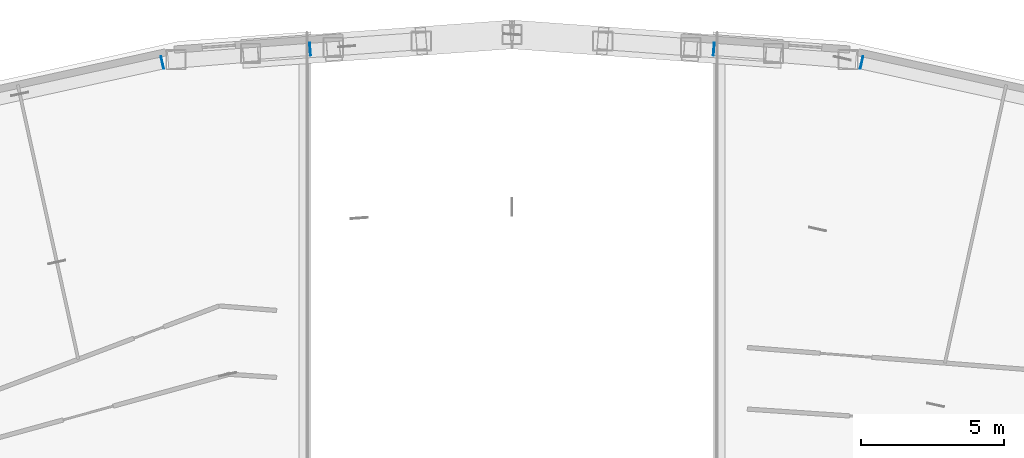
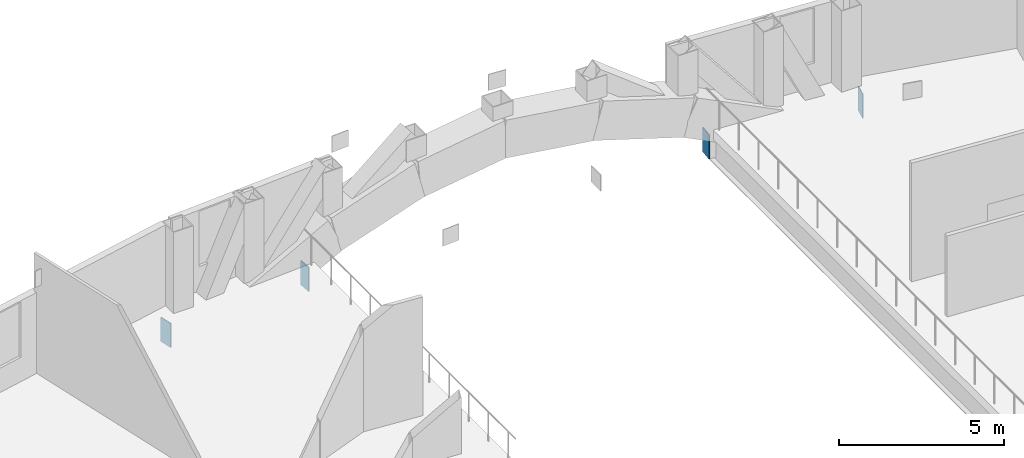
# One storey, part 14 of 24: 4 discrete accessories.
"""IFC4 building model written with IfcOpenShell, lengths in metres."""

import ifcopenshell
import ifcopenshell.guid

model = None  # the IFC model being written
_history = None  # IfcOwnerHistory: only IFC2X3 demands one
_inside = {}  # id of a spatial element -> (the spatial element, [elements in it])
_under = {}  # id of a project, library or spatial element -> (it, [spatial elements below it])
_declared = {}  # id of a project -> (the project, [libraries it declares])
_typed = {}  # id of a type object -> (the type object, [elements of that type])
_made_of = {}  # id of a material, layer set ... -> (it, [elements and type objects made of it])


def new_model(schema):
    """Start an empty IFC model of exactly this schema.

    Asked for "IFC4X3", IfcOpenShell would pick the latest addendum, in which some entities
    have other attributes; the version numbers below select the first issue.
    IFC2X3 requires an IfcOwnerHistory on every rooted entity: one is made here for all.
    """
    global model, _history
    if schema == "IFC4X3":
        model = ifcopenshell.file(schema_version=(4, 3, 0, 0))
    else:
        model = ifcopenshell.file(schema=schema)
    _inside.clear()
    _under.clear()
    _declared.clear()
    _typed.clear()
    _made_of.clear()
    _history = None
    if model.schema == "IFC2X3":
        org = make("IfcOrganization", Name="unknown")
        user = make(
            "IfcPersonAndOrganization",
            ThePerson=make("IfcPerson", FamilyName="unknown"),
            TheOrganization=org,
        )
        app = make(
            "IfcApplication",
            ApplicationDeveloper=org,
            Version="unknown",
            ApplicationFullName="unknown",
            ApplicationIdentifier="unknown",
        )
        _history = make(
            "IfcOwnerHistory",
            OwningUser=user,
            OwningApplication=app,
            ChangeAction="ADDED",
            CreationDate=0,
        )
    return model


def make(cls, **values):
    """One entity of the class cls with the attributes given. An attribute that is None is left unset."""
    return model.create_entity(
        cls, **{name: value for name, value in values.items() if value is not None}
    )


def rooted(cls, **values):
    """An entity with a GlobalId (a new one), such as an element, a storey or a relation."""
    return make(cls, GlobalId=ifcopenshell.guid.new(), OwnerHistory=_history, **values)


def si_unit(unit_type, name, prefix=None):
    """IfcSIUnit, for example si_unit("LENGTHUNIT", "METRE", prefix="MILLI")."""
    return make("IfcSIUnit", UnitType=unit_type, Prefix=prefix, Name=name)


def assignment(units):
    """IfcUnitAssignment: the units of a project."""
    return None if units is None else make("IfcUnitAssignment", Units=units)


def point(xyz):
    """IfcCartesianPoint."""
    return None if xyz is None else make("IfcCartesianPoint", Coordinates=xyz)


def direction(xyz):
    """IfcDirection."""
    return None if xyz is None else make("IfcDirection", DirectionRatios=xyz)


def frame(location, z_axis=None, x_axis=None):
    """IfcAxis2Placement3D, a coordinate frame: its origin and axes. An axis left out is left unset."""
    return make(
        "IfcAxis2Placement3D",
        Location=point(location),
        Axis=direction(z_axis),
        RefDirection=direction(x_axis),
    )


def frame_2d(location, x_axis=None):
    """IfcAxis2Placement2D, a coordinate frame in the plane: its origin and x axis."""
    return make(
        "IfcAxis2Placement2D", Location=point(location), RefDirection=direction(x_axis)
    )


def origin():
    """The frame at (0, 0, 0) with its axes left unset."""
    return frame((0.0, 0.0, 0.0))


def origin_2d():
    """The frame at (0, 0) in the plane with its x axis left unset."""
    return frame_2d((0.0, 0.0))


def place(relative_to, where):
    """IfcLocalPlacement: puts the frame where relative to a parent placement (None: the world)."""
    return make(
        "IfcLocalPlacement", PlacementRelTo=relative_to, RelativePlacement=where
    )


def context(
    kind, dimensions, precision=None, world=None, true_north=None, identifier=None
):
    """IfcGeometricRepresentationContext, for example the 3D "Model" context."""
    return make(
        "IfcGeometricRepresentationContext",
        ContextIdentifier=identifier,
        ContextType=kind,
        CoordinateSpaceDimension=dimensions,
        Precision=precision,
        WorldCoordinateSystem=world,
        TrueNorth=true_north,
    )


def subcontext(parent, identifier, kind, view, scale=None):
    """IfcGeometricRepresentationSubContext, for example "Body" below "Model"."""
    return make(
        "IfcGeometricRepresentationSubContext",
        ContextIdentifier=identifier,
        ContextType=kind,
        ParentContext=parent,
        TargetScale=scale,
        TargetView=view,
    )


def project(units=None, contexts=None):
    """IfcProject with its units and contexts."""
    return rooted(
        "IfcProject",
        Name="project",
        RepresentationContexts=contexts,
        UnitsInContext=assignment(units),
    )


def spatial(cls, under=None, at=None, **own):
    """A site, building, storey or space (cls), placed at a placement, below another one or the project."""
    s = rooted(cls, ObjectPlacement=at, **own)
    if under is not None:
        _under.setdefault(under.id(), (under, []))[1].append(s)
    return s


def profile(cls, at=None, kind="AREA", **sizes):
    """A parametric profile (cls). Its sizes go by their IFC names, for example OverallWidth=200.0."""
    return make(cls, ProfileType=kind, Position=at, **sizes)


def rectangle(**sizes):
    """IfcRectangleProfileDef."""
    return profile("IfcRectangleProfileDef", **sizes)


def extrude(swept, where, along, depth):
    """IfcExtrudedAreaSolid: the profile swept, set in the frame where, extruded along a direction by depth."""
    return make(
        "IfcExtrudedAreaSolid",
        SweptArea=swept,
        Position=where,
        ExtrudedDirection=direction(along),
        Depth=depth,
    )


def shape(context_of_items, identifier, shape_type, items):
    """IfcShapeRepresentation: the items that make up one representation, for example the "Body"."""
    return make(
        "IfcShapeRepresentation",
        ContextOfItems=context_of_items,
        RepresentationIdentifier=identifier,
        RepresentationType=shape_type,
        Items=items,
    )


def material(Name=None, Category=None):
    """IfcMaterial."""
    return make("IfcMaterial", Name=Name, Category=Category)


def made_of(thing, what):
    """Note that an element or type object is made of a material, layer set ...; save() writes the relation."""
    if what is not None:
        _made_of.setdefault(what.id(), (what, []))[1].append(thing)
    return thing


def type_object(cls, material=None, **own):
    """A type object (cls), such as IfcWallType, which elements share."""
    return made_of(rooted(cls, **own), material)


def element(
    cls,
    number,
    at=None,
    inside=None,
    cuts=None,
    type_object=None,
    material=None,
    context=None,
    identifier="Body",
    shape_type=None,
    held_by="IfcProductDefinitionShape",
    body=None,
    shapes=None,
    **own,
):
    """One element of the class cls, such as IfcWall. Its Tag is "e" and its number.

    at: its placement. inside: the storey or other place that contains it. cuts: it is an
    opening in that element (IfcRelVoidsElement). A single representation is given by context,
    identifier, shape_type and body (its items); several are given by shapes. held_by: the class
    of the entity that holds the representations. save() writes the other relations.
    """
    e = rooted(cls, Tag="e%d" % number, ObjectPlacement=at, **own)
    if body is not None:
        shapes = [shape(context, identifier, shape_type, body)]
    if shapes is not None:
        e.Representation = make(held_by, Representations=shapes)
    if inside is not None:
        _inside.setdefault(inside.id(), (inside, []))[1].append(e)
    if cuts is not None:
        rooted(
            "IfcRelVoidsElement", RelatingBuildingElement=cuts, RelatedOpeningElement=e
        )
    if type_object is not None:
        _typed.setdefault(type_object.id(), (type_object, []))[1].append(e)
    return made_of(e, material)


def aggregate(whole, parts):
    """IfcRelAggregates: a whole, such as a stair, and the parts it consists of."""
    return rooted("IfcRelAggregates", RelatingObject=whole, RelatedObjects=parts)


def save(model, path):
    """Write the relations noted so far, then the file.

    IfcRelAggregates (storeys below a building ...), IfcRelContainedInSpatialStructure (elements
    in a storey), IfcRelDefinesByType, IfcRelAssociatesMaterial and IfcRelDeclares: one each for
    every whole, place, type object, material and project.
    """
    for whole, parts in _under.values():
        aggregate(whole, parts)
    for where, things in _inside.values():
        rooted(
            "IfcRelContainedInSpatialStructure",
            RelatedElements=things,
            RelatingStructure=where,
        )
    for kind, things in _typed.values():
        rooted("IfcRelDefinesByType", RelatedObjects=things, RelatingType=kind)
    for what, things in _made_of.values():
        rooted("IfcRelAssociatesMaterial", RelatedObjects=things, RelatingMaterial=what)
    for by, libraries in _declared.values():
        rooted("IfcRelDeclares", RelatingContext=by, RelatedDefinitions=libraries)
    model.write(path)


model = new_model("IFC4")

# Units and contexts
model_context = context("Model", 3, precision=1e-05, world=origin(), true_north=direction((0.0, 1.0)))
body_context = subcontext(model_context, "Body", "Model", "MODEL_VIEW")
ifc_project = project(units=[si_unit("LENGTHUNIT", "METRE"), si_unit("AREAUNIT", "SQUARE_METRE"), si_unit("VOLUMEUNIT", "CUBIC_METRE"), si_unit("PLANEANGLEUNIT", "RADIAN"), si_unit("MASSUNIT", "GRAM", prefix="KILO")], contexts=[model_context])

# Site, building, storey
site_placement = place(None, origin())
site = spatial("IfcSite", under=ifc_project, at=site_placement, CompositionType="ELEMENT")
building_placement = place(site_placement, origin())
building = spatial("IfcBuilding", under=site, at=building_placement, Name="Tuul Gate Civic Tower", CompositionType="ELEMENT")
storey_placement = place(building_placement, frame((0.0, 0.0, 21.89990234375)))
storey = spatial("IfcBuildingStorey", under=building, at=storey_placement, Name="Level 04", CompositionType="ELEMENT", Elevation=21.89990234375)

# Discrete accessories
ifc_material = material(Name="Steel S355", Category="steel")
discrete_accessory_type = type_object("IfcDiscreteAccessoryType", Name="End cap plate", PredefinedType="BRACKET", material=ifc_material)
for number, where, z_axis, x_axis, name in (
    (1, (12.18505859375, 18.9326171875, -1.249755859375), (0.0, 0.0, 1.0), (-0.976566621246, 0.215215320711, 0.0), "End cap plate"),
    (2, (7.03515625, 19.404541015625, -1.249755859375), (0.0, 0.0, 1.0), (-0.997387871366, 0.072231807765, 0.0), "End cap plate"),
    (3, (-7.03515625, 19.404541015625, -1.249755859375), (0.0, 0.0, 1.0), (-0.997387871366, -0.072231807765, 0.0), "End cap plate"),
    (4, (-12.18505859375, 18.9326171875, -1.249755859375), (0.0, 0.0, 1.0), (-0.976566621246, -0.215215320711, 0.0), "End cap plate"),
):
    element("IfcDiscreteAccessory", number, at=place(storey_placement, frame(where, z_axis=z_axis, x_axis=x_axis)), inside=storey, type_object=discrete_accessory_type, Name=name, PredefinedType="BRACKET", context=body_context, shape_type="SweptSolid", body=[
        extrude(rectangle(XDim=0.030029296875, YDim=0.449951171875, at=origin_2d()), origin(), (0.0, 0.0, 1.0), 0.89990234375),
    ])

save(model, "model.ifc")
